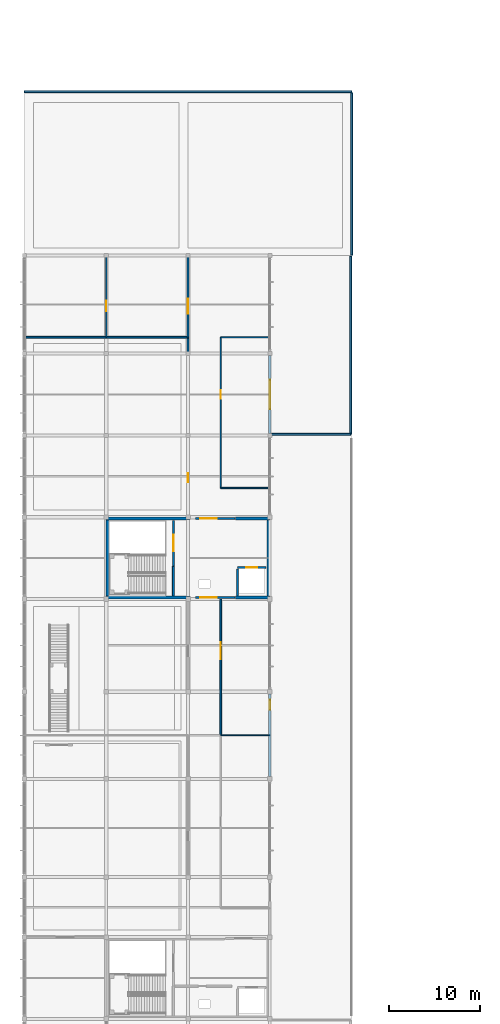
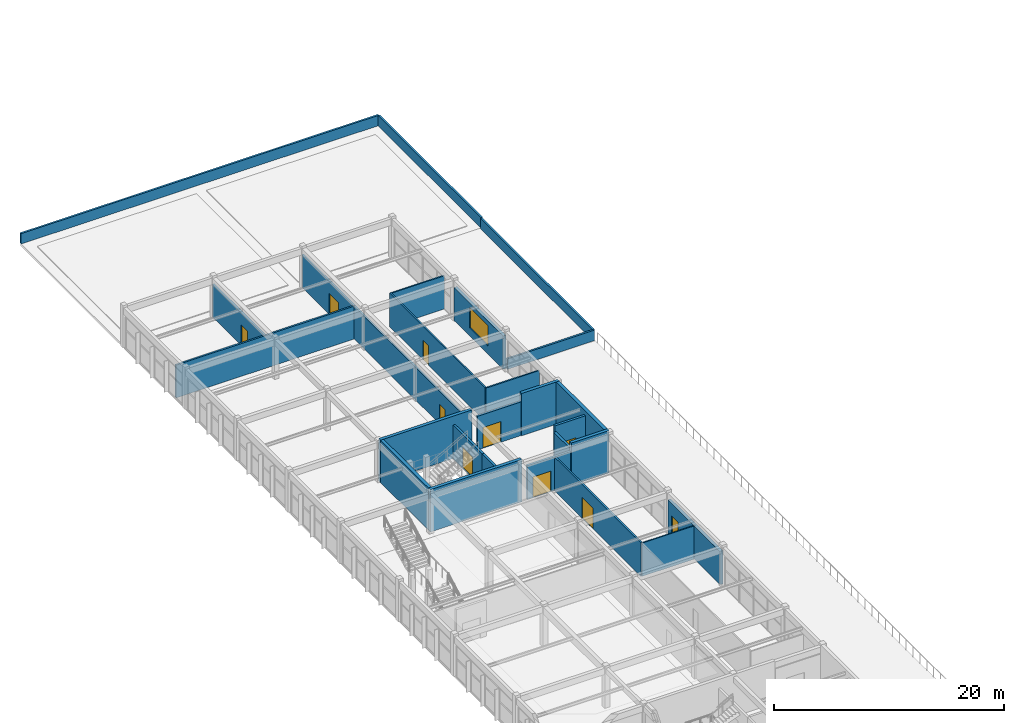
# One storey, part 15 of 22: 27 walls, 10 doors, 1 window, 11 openings.
"""IFC4 building model written with IfcOpenShell, lengths in metres."""

from ifc_helpers import new_model, si_unit, direction, frame, frame_2d, origin, place, context, subcontext, project, spatial, rectangle, extrude, material, layer, layer_set, type_object, element, fill, save


model = new_model("IFC4")

# Units and contexts
model_context = context("Model", 3, precision=1e-05, world=origin(), true_north=direction((0.0, 1.0)))
body_context = subcontext(model_context, "Body", "Model", "MODEL_VIEW")
ifc_project = project(units=[si_unit("LENGTHUNIT", "METRE"), si_unit("AREAUNIT", "SQUARE_METRE"), si_unit("VOLUMEUNIT", "CUBIC_METRE"), si_unit("PLANEANGLEUNIT", "RADIAN"), si_unit("MASSUNIT", "GRAM", prefix="KILO")], contexts=[model_context])

# Site, building, storey
site_placement = place(None, origin())
site = spatial("IfcSite", under=ifc_project, at=site_placement, CompositionType="ELEMENT")
building_placement = place(site_placement, origin())
building = spatial("IfcBuilding", under=site, at=building_placement, Name="Suirenkawa Promenade Aquatics Centre", CompositionType="ELEMENT")
storey_placement = place(building_placement, frame((0.0, 0.0, 14.10009765625)))
storey = spatial("IfcBuildingStorey", under=building, at=storey_placement, Name="L03", CompositionType="ELEMENT", Elevation=14.10009765625)

# Wall, opening, door
ifc_material_1 = material(Name="Autoclaved aerated concrete blockwork Grade 1", Category="masonry")
ifc_layer_1 = layer(ifc_material_1, 0.199951171875, Name="Autoclaved aerated concrete blockwork Grade 1", Category="masonry")
ifc_layer_set_1 = layer_set([ifc_layer_1], Name="Autoclaved aerated concrete blockwork Grade 1")
wall_type_1 = type_object("IfcWallType", Name="WT-COMP-200", PredefinedType="PARTITIONING", material=ifc_layer_set_1)
wall_1_placement = place(storey_placement, frame((9.0, 88.199951171875, 0.0), z_axis=(0.0, 0.0, 1.0), x_axis=(0.0, 1.0, 0.0)))
wall_1 = element("IfcWall", 1, at=wall_1_placement, inside=storey, type_object=wall_type_1, Name="Interior wall WL-PRT-01 W-7291", PredefinedType="PARTITIONING", context=body_context, shape_type="SweptSolid", body=[
    extrude(rectangle(XDim=9.0, YDim=0.199951171875, at=frame_2d((4.5, 0.0))), origin(), (0.0, 0.0, 1.0), 3.48486328125),
])
opening_1_placement = place(wall_1_placement, frame((2.844970703125, 0.0, 0.0)))
opening_1 = element("IfcOpeningElement", 2, at=opening_1_placement, cuts=wall_1, Name="Opening ID-03", PredefinedType="OPENING", context=body_context, shape_type="SweptSolid", body=[
    extrude(rectangle(XDim=1.14990234375, YDim=2.199951171875, at=frame_2d((0.574951171875, 1.10009765625))), frame((0.0, 0.10986328125, 0.0), z_axis=(0.0, -1.0, 0.0), x_axis=(1.0, 0.0, 0.0)), (0.0, 0.0, 1.0), 0.219970703125),
])
ifc_material_2 = material(Name="Steel IS 2062 E350 (Grade 350)", Category="steel")
door_type_1 = type_object("IfcDoorType", Name="DT-FD120-1150x2200", OperationType="NOTDEFINED", PredefinedType="DOOR", material=ifc_material_2)
door_1_placement = place(opening_1_placement, origin())
door_1 = element("IfcDoor", 3, at=door_1_placement, inside=storey, type_object=door_type_1, Name="Interior door ID-03 DR-INT-0171", OperationType="SINGLE_SWING_LEFT", OverallHeight=2.199951171875, OverallWidth=1.14990234375, PredefinedType="DOOR", context=body_context, shape_type="SweptSolid", body=[
    extrude(rectangle(XDim=1.14990234375, YDim=2.199951171875, at=frame_2d((0.574951171875, 1.10009765625))), frame((0.0, 0.02490234375, 0.0), z_axis=(0.0, -1.0, 0.0), x_axis=(1.0, 0.0, 0.0)), (0.0, 0.0, 1.0), 0.050048828125),
])
fill(opening_1, door_1)

# Walls
ifc_material_3 = material(Name="Concrete M40", Category="concrete")
ifc_layer_2 = layer(ifc_material_3, 0.320068359375, Name="Concrete M40", Category="concrete")
ifc_layer_set_2 = layer_set([ifc_layer_2], Name="Concrete M40")
wall_type_2 = type_object("IfcWallType", Name="WT-CORE-320", PredefinedType="SHEAR", material=ifc_layer_set_2)
wall_2_placement = place(storey_placement, frame((9.0, 59.56005859375, 0.0), z_axis=(0.0, 0.0, 1.0), x_axis=(1.0, 0.0, 0.0)))
element("IfcWall", 4, at=wall_2_placement, inside=storey, type_object=wall_type_2, Name="C2 south core wall WL-CORE-01 W-0098", PredefinedType="SHEAR", context=body_context, shape_type="SweptSolid", body=[
    extrude(rectangle(XDim=9.199951171875, YDim=0.320068359375, at=frame_2d((4.60009765625, 0.0))), origin(), (0.0, 0.0, 1.0), 4.5),
])
wall_3_placement = place(storey_placement, frame((23.199951171875, 59.56005859375, 0.0), z_axis=(0.0, 0.0, 1.0), x_axis=(1.0, 0.0, 0.0)))
element("IfcWall", 5, at=wall_3_placement, inside=storey, type_object=wall_type_2, Name="C2 south shaft wall WL-CORE-01 W-0099", PredefinedType="SHEAR", context=body_context, shape_type="SweptSolid", body=[
    extrude(rectangle(XDim=3.800048828125, YDim=0.320068359375, at=frame_2d((1.89990234375, 0.0))), origin(), (0.0, 0.0, 1.0), 4.5),
])
wall_4_placement = place(storey_placement, frame((9.0, 68.239990234375, 0.0), z_axis=(0.0, 0.0, 1.0), x_axis=(1.0, 0.0, 0.0)))
element("IfcWall", 6, at=wall_4_placement, inside=storey, type_object=wall_type_2, Name="C2 north core wall WL-CORE-01 W-0100", PredefinedType="SHEAR", context=body_context, shape_type="SweptSolid", body=[
    extrude(rectangle(XDim=9.199951171875, YDim=0.320068359375, at=frame_2d((4.60009765625, 0.0))), origin(), (0.0, 0.0, 1.0), 4.5),
])
wall_5_placement = place(storey_placement, frame((23.199951171875, 68.239990234375, 0.0), z_axis=(0.0, 0.0, 1.0), x_axis=(1.0, 0.0, 0.0)))
element("IfcWall", 7, at=wall_5_placement, inside=storey, type_object=wall_type_2, Name="C2 north shaft wall WL-CORE-01 W-0101", PredefinedType="SHEAR", context=body_context, shape_type="SweptSolid", body=[
    extrude(rectangle(XDim=3.800048828125, YDim=0.320068359375, at=frame_2d((1.89990234375, 0.0))), origin(), (0.0, 0.0, 1.0), 4.5),
])
for number, where, z_axis, x_axis, name in (
    (8, (9.159912109375, 59.719970703125, 0.0), (0.0, 0.0, 1.0), (0.0, 1.0, 0.0), "C2 west core wall WL-CORE-01 W-0102"),
    (9, (26.840087890625, 59.719970703125, 0.0), (0.0, 0.0, 1.0), (0.0, 1.0, 0.0), "C2 east core wall WL-CORE-01 W-0103"),
):
    element("IfcWall", number, at=place(storey_placement, frame(where, z_axis=z_axis, x_axis=x_axis)), inside=storey, type_object=wall_type_2, Name=name, PredefinedType="SHEAR", context=body_context, shape_type="SweptSolid", body=[
        extrude(rectangle(XDim=8.360107421875, YDim=0.320068359375, at=frame_2d((4.18017578125, 0.0))), origin(), (0.0, 0.0, 1.0), 4.5),
    ])

# Wall, opening, door
ifc_layer_3 = layer(ifc_material_3, 0.2900390625, Name="Concrete M40", Category="concrete")
ifc_layer_set_3 = layer_set([ifc_layer_3], Name="Concrete M40")
wall_type_3 = type_object("IfcWallType", Name="WT-EXT-290", PredefinedType="SOLIDWALL", material=ifc_layer_set_3)
wall_6_placement = place(storey_placement, frame((27.0, 48.945068359375, 0.0), z_axis=(0.0, 0.0, 1.0), x_axis=(0.0, -1.0, 0.0)))
wall_6 = element("IfcWall", 10, at=wall_6_placement, inside=storey, type_object=wall_type_3, Name="Exterior wall WL-EXT-03 W-5117", PredefinedType="SOLIDWALL", context=body_context, shape_type="SweptSolid", body=[
    extrude(rectangle(XDim=9.090087890625, YDim=0.2900390625, at=frame_2d((4.544921875, 0.0))), origin(), (0.0, 0.0, 1.0), 3.534912109375),
])
opening_2_placement = place(wall_6_placement, frame((0.64990234375, 0.0, 0.0)))
opening_2 = element("IfcOpeningElement", 11, at=opening_2_placement, cuts=wall_6, Name="Opening ED-09", PredefinedType="OPENING", context=body_context, shape_type="SweptSolid", body=[
    extrude(rectangle(XDim=1.10009765625, YDim=2.199951171875, at=frame_2d((0.550048828125, 1.10009765625))), frame((0.0, 0.155029296875, 0.0), z_axis=(0.0, -1.0, 0.0), x_axis=(1.0, 0.0, 0.0)), (0.0, 0.0, 1.0), 0.31005859375),
])
ifc_material_4 = material(Name="Anodised aluminium 6063-T6", Category="aluminium")
door_type_2 = type_object("IfcDoorType", Name="DT-EXT-TERR-1100x2200", OperationType="NOTDEFINED", PredefinedType="DOOR", material=ifc_material_4)
door_2_placement = place(opening_2_placement, origin())
door_2 = element("IfcDoor", 12, at=door_2_placement, inside=storey, type_object=door_type_2, Name="Exterior door ED-09 DR-EXT-053", OperationType="SINGLE_SWING_RIGHT", OverallHeight=2.199951171875, OverallWidth=1.10009765625, PredefinedType="DOOR", context=body_context, shape_type="SweptSolid", body=[
    extrude(rectangle(XDim=1.10009765625, YDim=2.199951171875, at=frame_2d((0.550048828125, 1.10009765625))), frame((0.0, 0.02490234375, 0.0), z_axis=(0.0, -1.0, 0.0), x_axis=(1.0, 0.0, 0.0)), (0.0, 0.0, 1.0), 0.050048828125),
])
fill(opening_2, door_2)

# Wall, opening, window
wall_7_placement = place(storey_placement, frame((27.0, 86.169921875, 0.0), z_axis=(0.0, 0.0, 1.0), x_axis=(0.0, -1.0, 0.0)))
wall_7 = element("IfcWall", 13, at=wall_7_placement, inside=storey, type_object=wall_type_3, Name="Exterior wall WL-EXT-03 W-5118", PredefinedType="SOLIDWALL", context=body_context, shape_type="SweptSolid", body=[
    extrude(rectangle(XDim=8.5400390625, YDim=0.2900390625, at=frame_2d((4.27001953125, 0.0))), origin(), (0.0, 0.0, 1.0), 3.534912109375),
])
opening_3_placement = place(wall_7_placement, frame((2.669921875, 0.0, 0.85009765625)))
opening_3 = element("IfcOpeningElement", 14, at=opening_3_placement, cuts=wall_7, Name="Opening WN-26", PredefinedType="OPENING", context=body_context, shape_type="SweptSolid", body=[
    extrude(rectangle(XDim=3.199951171875, YDim=2.199951171875, at=frame_2d((1.60009765625, 1.10009765625))), frame((0.0, 0.155029296875, 0.0), z_axis=(0.0, -1.0, 0.0), x_axis=(1.0, 0.0, 0.0)), (0.0, 0.0, 1.0), 0.31005859375),
])
ifc_material_5 = material(Name="Low-E thermally broken double glazing", Category="glass")
window_type = type_object("IfcWindowType", Name="WNT-GALL-3200x2200", PartitioningType="SINGLE_PANEL", PredefinedType="WINDOW", material=ifc_material_5)
window_placement = place(opening_3_placement, origin())
window = element("IfcWindow", 15, at=window_placement, inside=storey, type_object=window_type, Name="Window WN-26 WN-0055", OverallHeight=2.199951171875, OverallWidth=3.199951171875, PartitioningType="SINGLE_PANEL", PredefinedType="WINDOW", context=body_context, shape_type="SweptSolid", body=[
    extrude(rectangle(XDim=3.199951171875, YDim=2.199951171875, at=frame_2d((1.60009765625, 1.10009765625))), frame((0.0, 0.030029296875, 0.0), z_axis=(0.0, -1.0, 0.0), x_axis=(1.0, 0.0, 0.0)), (0.0, 0.0, 1.0), 0.06005859375),
])
fill(opening_3, window)

# Wall, opening, door
ifc_layer_4 = layer(ifc_material_1, 0.179931640625, Name="Autoclaved aerated concrete blockwork Grade 1", Category="masonry")
ifc_layer_set_4 = layer_set([ifc_layer_4], Name="Autoclaved aerated concrete blockwork Grade 1")
wall_type_4 = type_object("IfcWallType", Name="WT-FIRE-180", PredefinedType="PARTITIONING", material=ifc_layer_set_4)
wall_8_placement = place(storey_placement, frame((18.0, 68.39990234375, 0.0), z_axis=(0.0, 0.0, 1.0), x_axis=(0.0, 1.0, 0.0)))
wall_8 = element("IfcWall", 16, at=wall_8_placement, inside=storey, type_object=wall_type_4, Name="Interior wall WL-PRT-02 W-7281", PredefinedType="PARTITIONING", context=body_context, shape_type="SweptSolid", body=[
    extrude(rectangle(XDim=19.800048828125, YDim=0.179931640625, at=frame_2d((9.89990234375, 0.0))), origin(), (0.0, 0.0, 1.0), 3.48486328125),
])
opening_4_placement = place(wall_8_placement, frame((3.85595703125, 0.0, 0.0)))
opening_4 = element("IfcOpeningElement", 17, at=opening_4_placement, cuts=wall_8, Name="Opening ID-07", PredefinedType="OPENING", context=body_context, shape_type="SweptSolid", body=[
    extrude(rectangle(XDim=1.0, YDim=2.10009765625, at=frame_2d((0.5, 1.050048828125))), frame((0.0, 0.099853515625, 0.0), z_axis=(0.0, -1.0, 0.0), x_axis=(1.0, 0.0, 0.0)), (0.0, 0.0, 1.0), 0.199951171875),
])
ifc_material_6 = material(Name="Engineered maple acoustic sports timber", Category="wood")
door_type_3 = type_object("IfcDoorType", Name="DT-FD60-1000x2100", OperationType="NOTDEFINED", PredefinedType="DOOR", material=ifc_material_6)
door_3_placement = place(opening_4_placement, origin())
door_3 = element("IfcDoor", 18, at=door_3_placement, inside=storey, type_object=door_type_3, Name="Interior door ID-07 DR-INT-0166", OperationType="SINGLE_SWING_RIGHT", OverallHeight=2.10009765625, OverallWidth=1.0, PredefinedType="DOOR", context=body_context, shape_type="SweptSolid", body=[
    extrude(rectangle(XDim=1.0, YDim=2.10009765625, at=frame_2d((0.5, 1.050048828125))), frame((0.0, 0.02490234375, 0.0), z_axis=(0.0, -1.0, 0.0), x_axis=(1.0, 0.0, 0.0)), (0.0, 0.0, 1.0), 0.050048828125),
])
fill(opening_4, door_3)

# Wall
wall_9_placement = place(storey_placement, frame((0.0, 88.199951171875, 0.0), z_axis=(0.0, 0.0, 1.0), x_axis=(1.0, 0.0, 0.0)))
element("IfcWall", 19, at=wall_9_placement, inside=storey, type_object=wall_type_4, Name="Interior wall WL-PRT-02 W-7282", PredefinedType="PARTITIONING", context=body_context, shape_type="SweptSolid", body=[
    extrude(rectangle(XDim=18.0, YDim=0.179931640625, at=frame_2d((9.0, 0.0))), origin(), (0.0, 0.0, 1.0), 3.48486328125),
])

# Wall, opening, door
wall_10_placement = place(storey_placement, frame((21.60009765625, 44.39990234375, 0.0), z_axis=(0.0, 0.0, 1.0), x_axis=(0.0, 1.0, 0.0)))
wall_10 = element("IfcWall", 20, at=wall_10_placement, inside=storey, type_object=wall_type_4, Name="Interior wall WL-PRT-02 W-7287", PredefinedType="PARTITIONING", context=body_context, shape_type="SweptSolid", body=[
    extrude(rectangle(XDim=15.0, YDim=0.179931640625, at=frame_2d((7.5, 0.0))), origin(), (0.0, 0.0, 1.0), 3.5849609375),
])
opening_5_placement = place(wall_10_placement, frame((8.35009765625, 0.0, 0.0)))
opening_5 = element("IfcOpeningElement", 21, at=opening_5_placement, cuts=wall_10, Name="Opening DR-FD60", PredefinedType="OPENING", context=body_context, shape_type="SweptSolid", body=[
    extrude(rectangle(XDim=1.89990234375, YDim=2.199951171875, at=frame_2d((0.949951171875, 1.10009765625))), frame((0.0, 0.099853515625, 0.0), z_axis=(0.0, -1.0, 0.0), x_axis=(1.0, 0.0, 0.0)), (0.0, 0.0, 1.0), 0.199951171875),
])
door_type_4 = type_object("IfcDoorType", Name="DT-FD60-1900x2200", OperationType="DOUBLE_DOOR_SINGLE_SWING", PredefinedType="DOOR", material=ifc_material_6)
door_4_placement = place(opening_5_placement, origin())
door_4 = element("IfcDoor", 22, at=door_4_placement, inside=storey, type_object=door_type_4, Name="Interior door DR-FD60 DR-INT-0169", OperationType="DOUBLE_DOOR_SINGLE_SWING", OverallHeight=2.199951171875, OverallWidth=1.89990234375, PredefinedType="DOOR", context=body_context, shape_type="SweptSolid", body=[
    extrude(rectangle(XDim=1.89990234375, YDim=2.199951171875, at=frame_2d((0.949951171875, 1.10009765625))), frame((0.0, 0.02490234375, 0.0), z_axis=(0.0, -1.0, 0.0), x_axis=(1.0, 0.0, 0.0)), (0.0, 0.0, 1.0), 0.050048828125),
])
fill(opening_5, door_4)

wall_11_placement = place(storey_placement, frame((18.0, 88.199951171875, 0.0), z_axis=(0.0, 0.0, 1.0), x_axis=(0.0, 1.0, 0.0)))
wall_11 = element("IfcWall", 23, at=wall_11_placement, inside=storey, type_object=wall_type_4, Name="Interior wall WL-PRT-02 W-7292", PredefinedType="PARTITIONING", context=body_context, shape_type="SweptSolid", body=[
    extrude(rectangle(XDim=9.0, YDim=0.179931640625, at=frame_2d((4.5, 0.0))), origin(), (0.0, 0.0, 1.0), 3.48486328125),
])
opening_6_placement = place(wall_11_placement, frame((2.594970703125, 0.0, 0.0)))
opening_6 = element("IfcOpeningElement", 24, at=opening_6_placement, cuts=wall_11, Name="Opening ID-05", PredefinedType="OPENING", context=body_context, shape_type="SweptSolid", body=[
    extrude(rectangle(XDim=1.64990234375, YDim=2.199951171875, at=frame_2d((0.824951171875, 1.10009765625))), frame((0.0, 0.099853515625, 0.0), z_axis=(0.0, -1.0, 0.0), x_axis=(1.0, 0.0, 0.0)), (0.0, 0.0, 1.0), 0.199951171875),
])
door_type_5 = type_object("IfcDoorType", Name="DT-FD60-1650x2200", OperationType="DOUBLE_DOOR_SINGLE_SWING", PredefinedType="DOOR", material=ifc_material_6)
door_5_placement = place(opening_6_placement, origin())
door_5 = element("IfcDoor", 25, at=door_5_placement, inside=storey, type_object=door_type_5, Name="Interior door ID-05 DR-INT-0172", OperationType="DOUBLE_DOOR_SINGLE_SWING", OverallHeight=2.199951171875, OverallWidth=1.64990234375, PredefinedType="DOOR", context=body_context, shape_type="SweptSolid", body=[
    extrude(rectangle(XDim=1.64990234375, YDim=2.199951171875, at=frame_2d((0.824951171875, 1.10009765625))), frame((0.0, 0.02490234375, 0.0), z_axis=(0.0, -1.0, 0.0), x_axis=(1.0, 0.0, 0.0)), (0.0, 0.0, 1.0), 0.050048828125),
])
fill(opening_6, door_5)

# Wall
ifc_material_7 = material(Name="Moisture-resistant acoustic gypsum board")
ifc_layer_5 = layer(ifc_material_7, 0.1201171875, Name="Moisture-resistant acoustic gypsum board")
ifc_layer_set_5 = layer_set([ifc_layer_5], Name="Moisture-resistant acoustic gypsum board")
wall_type_5 = type_object("IfcWallType", Name="WT-LIGHT-120", PredefinedType="PARTITIONING", material=ifc_layer_set_5)
wall_12_placement = place(storey_placement, frame((21.60009765625, 44.39990234375, 0.0), z_axis=(0.0, 0.0, 1.0), x_axis=(1.0, 0.0, 0.0)))
element("IfcWall", 26, at=wall_12_placement, inside=storey, type_object=wall_type_5, Name="Interior wall WL-PRT-05 W-7286", PredefinedType="PARTITIONING", context=body_context, shape_type="SweptSolid", body=[
    extrude(rectangle(XDim=5.39990234375, YDim=0.1201171875, at=frame_2d((2.699951171875, 0.0))), origin(), (0.0, 0.0, 1.0), 3.534912109375),
])

# Wall, opening, door
ifc_material_8 = material(Name="Concrete M35", Category="concrete")
ifc_layer_6 = layer(ifc_material_8, 0.219970703125, Name="Concrete M35", Category="concrete")
ifc_layer_set_6 = layer_set([ifc_layer_6], Name="Concrete M35")
wall_type_6 = type_object("IfcWallType", Name="WT-LOBBY-220", PredefinedType="PARTITIONING", material=ifc_layer_set_6)
wall_13_placement = place(storey_placement, frame((16.39990234375, 68.050048828125, 0.0), z_axis=(0.0, 0.0, 1.0), x_axis=(0.0, -1.0, 0.0)))
wall_13 = element("IfcWall", 27, at=wall_13_placement, inside=storey, type_object=wall_type_6, Name="Interior wall WL-LOB-01 W-7060", PredefinedType="PARTITIONING", context=body_context, shape_type="SweptSolid", body=[
    extrude(rectangle(XDim=5.050048828125, YDim=0.219970703125, at=frame_2d((2.52490234375, 0.0))), origin(), (0.0, 0.0, 1.0), 3.5849609375),
])
opening_7_placement = place(wall_13_placement, frame((1.60009765625, 0.0, 0.0)))
opening_7 = element("IfcOpeningElement", 28, at=opening_7_placement, cuts=wall_13, Name="Opening ID-02", PredefinedType="OPENING", context=body_context, shape_type="SweptSolid", body=[
    extrude(rectangle(XDim=1.800048828125, YDim=2.199951171875, at=frame_2d((0.89990234375, 1.10009765625))), frame((0.0, 0.119873046875, 0.0), z_axis=(0.0, -1.0, 0.0), x_axis=(1.0, 0.0, 0.0)), (0.0, 0.0, 1.0), 0.239990234375),
])
door_type_6 = type_object("IfcDoorType", Name="DT-FD120-1800x2200", OperationType="DOUBLE_DOOR_SINGLE_SWING", PredefinedType="DOOR", material=ifc_material_2)
door_6_placement = place(opening_7_placement, origin())
door_6 = element("IfcDoor", 29, at=door_6_placement, inside=storey, type_object=door_type_6, Name="Interior door ID-02 DR-INT-0040", OperationType="DOUBLE_DOOR_SINGLE_SWING", OverallHeight=2.199951171875, OverallWidth=1.800048828125, PredefinedType="DOOR", context=body_context, shape_type="SweptSolid", body=[
    extrude(rectangle(XDim=1.800048828125, YDim=2.199951171875, at=frame_2d((0.89990234375, 1.10009765625))), frame((0.0, 0.02490234375, 0.0), z_axis=(0.0, -1.0, 0.0), x_axis=(1.0, 0.0, 0.0)), (0.0, 0.0, 1.0), 0.050048828125),
])
fill(opening_7, door_6)

# Wall
wall_14_placement = place(storey_placement, frame((16.39990234375, 59.75, 0.0), z_axis=(0.0, 0.0, 1.0), x_axis=(0.0, 1.0, 0.0)))
element("IfcWall", 30, at=wall_14_placement, inside=storey, type_object=wall_type_6, Name="Interior wall WL-LOB-01 W-7061", PredefinedType="PARTITIONING", context=body_context, shape_type="SweptSolid", body=[
    extrude(rectangle(XDim=3.25, YDim=0.219970703125, at=frame_2d((1.625, 0.0))), origin(), (0.0, 0.0, 1.0), 3.5849609375),
])

# Wall, opening, door
wall_15_placement = place(storey_placement, frame((18.800048828125, 59.56005859375, 0.0), z_axis=(0.0, 0.0, 1.0), x_axis=(1.0, 0.0, 0.0)))
wall_15 = element("IfcWall", 31, at=wall_15_placement, inside=storey, type_object=wall_type_6, Name="Interior wall WL-LOB-01 W-7064", PredefinedType="PARTITIONING", context=body_context, shape_type="SweptSolid", body=[
    extrude(rectangle(XDim=4.349853515625, YDim=0.219970703125, at=frame_2d((2.1748046875, 0.0))), origin(), (0.0, 0.0, 1.0), 3.5849609375),
])
opening_8_placement = place(wall_15_placement, frame((0.550048828125, 0.0, 0.0)))
opening_8 = element("IfcOpeningElement", 32, at=opening_8_placement, cuts=wall_15, Name="Opening ID-02", PredefinedType="OPENING", context=body_context, shape_type="SweptSolid", body=[
    extrude(rectangle(XDim=1.800048828125, YDim=2.199951171875, at=frame_2d((0.89990234375, 1.10009765625))), frame((0.0, 0.119873046875, 0.0), z_axis=(0.0, -1.0, 0.0), x_axis=(1.0, 0.0, 0.0)), (0.0, 0.0, 1.0), 0.239990234375),
])
door_7_placement = place(opening_8_placement, origin())
door_7 = element("IfcDoor", 33, at=door_7_placement, inside=storey, type_object=door_type_6, Name="Interior door ID-02 DR-INT-0042", OperationType="DOUBLE_DOOR_SINGLE_SWING", OverallHeight=2.199951171875, OverallWidth=1.800048828125, PredefinedType="DOOR", context=body_context, shape_type="SweptSolid", body=[
    extrude(rectangle(XDim=1.800048828125, YDim=2.199951171875, at=frame_2d((0.89990234375, 1.10009765625))), frame((0.0, 0.02490234375, 0.0), z_axis=(0.0, -1.0, 0.0), x_axis=(1.0, 0.0, 0.0)), (0.0, 0.0, 1.0), 0.050048828125),
])
fill(opening_8, door_7)

wall_16_placement = place(storey_placement, frame((18.800048828125, 68.239990234375, 0.0), z_axis=(0.0, 0.0, 1.0), x_axis=(1.0, 0.0, 0.0)))
wall_16 = element("IfcWall", 34, at=wall_16_placement, inside=storey, type_object=wall_type_6, Name="Interior wall WL-LOB-01 W-7065", PredefinedType="PARTITIONING", context=body_context, shape_type="SweptSolid", body=[
    extrude(rectangle(XDim=4.349853515625, YDim=0.219970703125, at=frame_2d((2.1748046875, 0.0))), origin(), (0.0, 0.0, 1.0), 3.5849609375),
])
opening_9_placement = place(wall_16_placement, frame((0.550048828125, 0.0, 0.0)))
opening_9 = element("IfcOpeningElement", 35, at=opening_9_placement, cuts=wall_16, Name="Opening ID-02", PredefinedType="OPENING", context=body_context, shape_type="SweptSolid", body=[
    extrude(rectangle(XDim=1.800048828125, YDim=2.199951171875, at=frame_2d((0.89990234375, 1.10009765625))), frame((0.0, 0.119873046875, 0.0), z_axis=(0.0, -1.0, 0.0), x_axis=(1.0, 0.0, 0.0)), (0.0, 0.0, 1.0), 0.239990234375),
])
door_8_placement = place(opening_9_placement, origin())
door_8 = element("IfcDoor", 36, at=door_8_placement, inside=storey, type_object=door_type_6, Name="Interior door ID-02 DR-INT-0043", OperationType="DOUBLE_DOOR_SINGLE_SWING", OverallHeight=2.199951171875, OverallWidth=1.800048828125, PredefinedType="DOOR", context=body_context, shape_type="SweptSolid", body=[
    extrude(rectangle(XDim=1.800048828125, YDim=2.199951171875, at=frame_2d((0.89990234375, 1.10009765625))), frame((0.0, 0.02490234375, 0.0), z_axis=(0.0, -1.0, 0.0), x_axis=(1.0, 0.0, 0.0)), (0.0, 0.0, 1.0), 0.050048828125),
])
fill(opening_9, door_8)

# Walls
ifc_layer_7 = layer(ifc_material_3, 0.18994140625, Name="Concrete M40", Category="concrete")
ifc_layer_set_7 = layer_set([ifc_layer_7], Name="Concrete M40")
wall_type_7 = type_object("IfcWallType", Name="WT-PARAPET-190", PredefinedType="PARAPET", material=ifc_layer_set_7)
wall_17_placement = place(storey_placement, frame((0.0, 115.199951171875, 0.0), z_axis=(0.0, 0.0, 1.0), x_axis=(1.0, 0.0, 0.0)))
element("IfcWall", 37, at=wall_17_placement, inside=storey, type_object=wall_type_7, Name="Roof parapet WL-PAR-02 W-5131", PredefinedType="PARAPET", context=body_context, shape_type="SweptSolid", body=[
    extrude(rectangle(XDim=36.0, YDim=0.18994140625, at=frame_2d((18.0, 0.0))), origin(), (0.0, 0.0, 1.0), 1.099853515625),
])
wall_18_placement = place(storey_placement, frame((36.0, 97.199951171875, 0.0), z_axis=(0.0, 0.0, 1.0), x_axis=(0.0, 1.0, 0.0)))
element("IfcWall", 38, at=wall_18_placement, inside=storey, type_object=wall_type_7, Name="Roof parapet WL-PAR-02 W-5132", PredefinedType="PARAPET", context=body_context, shape_type="SweptSolid", body=[
    extrude(rectangle(XDim=17.900146484375, YDim=0.18994140625, at=frame_2d((8.9501953125, 0.0))), origin(), (0.0, 0.0, 1.0), 1.099853515625),
])
wall_19_placement = place(storey_placement, frame((27.14990234375, 77.52001953125, 0.0), z_axis=(0.0, 0.0, 1.0), x_axis=(1.0, 0.0, 0.0)))
element("IfcWall", 39, at=wall_19_placement, inside=storey, type_object=wall_type_7, Name="Setback roof parapet WL-PAR-02 W-5148", PredefinedType="PARAPET", context=body_context, shape_type="SweptSolid", body=[
    extrude(rectangle(XDim=8.75, YDim=0.18994140625, at=frame_2d((4.375, 0.0))), origin(), (0.0, 0.0, 1.0), 1.119873046875),
])
wall_20_placement = place(storey_placement, frame((35.89990234375, 77.52001953125, 0.0), z_axis=(0.0, 0.0, 1.0), x_axis=(0.0, 1.0, 0.0)))
element("IfcWall", 40, at=wall_20_placement, inside=storey, type_object=wall_type_7, Name="Setback roof parapet WL-PAR-02 W-5149", PredefinedType="PARAPET", context=body_context, shape_type="SweptSolid", body=[
    extrude(rectangle(XDim=19.580078125, YDim=0.18994140625, at=frame_2d((9.7900390625, 0.0))), origin(), (0.0, 0.0, 1.0), 1.119873046875),
])

# Wall, opening, door
ifc_layer_8 = layer(ifc_material_3, 0.239990234375, Name="Concrete M40", Category="concrete")
ifc_layer_set_8 = layer_set([ifc_layer_8], Name="Concrete M40")
wall_type_8 = type_object("IfcWallType", Name="WT-SHAFT-240", PredefinedType="SOLIDWALL", material=ifc_layer_set_8)
wall_21_placement = place(storey_placement, frame((23.449951171875, 62.85009765625, 0.0), z_axis=(0.0, 0.0, 1.0), x_axis=(1.0, 0.0, 0.0)))
wall_21 = element("IfcWall", 41, at=wall_21_placement, inside=storey, type_object=wall_type_8, Name="Interior wall WL-SHF-01 W-7062", PredefinedType="SOLIDWALL", context=body_context, shape_type="SweptSolid", body=[
    extrude(rectangle(XDim=3.10009765625, YDim=0.239990234375, at=frame_2d((1.550048828125, 0.0))), origin(), (0.0, 0.0, 1.0), 4.204833984375),
])
opening_10_placement = place(wall_21_placement, frame((0.949951171875, 0.0, 0.0)))
opening_10 = element("IfcOpeningElement", 42, at=opening_10_placement, cuts=wall_21, Name="Opening LD-02", PredefinedType="OPENING", context=body_context, shape_type="SweptSolid", body=[
    extrude(rectangle(XDim=1.199951171875, YDim=2.199951171875, at=frame_2d((0.60009765625, 1.10009765625))), frame((0.0, 0.1298828125, 0.0), z_axis=(0.0, -1.0, 0.0), x_axis=(1.0, 0.0, 0.0)), (0.0, 0.0, 1.0), 0.260009765625),
])
ifc_material_9 = material(Name="Marine-grade stainless steel Grade 316L", Category="steel")
door_type_7 = type_object("IfcDoorType", Name="DT-LIFT-1200x2200", OperationType="DOUBLE_DOOR_SLIDING", PredefinedType="DOOR", material=ifc_material_9)
door_9_placement = place(opening_10_placement, origin())
door_9 = element("IfcDoor", 43, at=door_9_placement, inside=storey, type_object=door_type_7, Name="Landing door LD-02 DR-INT-0041", OperationType="DOUBLE_DOOR_SLIDING", OverallHeight=2.199951171875, OverallWidth=1.199951171875, PredefinedType="DOOR", context=body_context, shape_type="SweptSolid", body=[
    extrude(rectangle(XDim=1.199951171875, YDim=2.199951171875, at=frame_2d((0.60009765625, 1.10009765625))), frame((0.0, 0.02490234375, 0.0), z_axis=(0.0, -1.0, 0.0), x_axis=(1.0, 0.0, 0.0)), (0.0, 0.0, 1.0), 0.050048828125),
])
fill(opening_10, door_9)

# Wall
wall_22_placement = place(storey_placement, frame((23.449951171875, 59.75, 0.0), z_axis=(0.0, 0.0, 1.0), x_axis=(0.0, 1.0, 0.0)))
element("IfcWall", 44, at=wall_22_placement, inside=storey, type_object=wall_type_8, Name="Interior wall WL-SHF-01 W-7063", PredefinedType="SOLIDWALL", context=body_context, shape_type="SweptSolid", body=[
    extrude(rectangle(XDim=2.949951171875, YDim=0.239990234375, at=frame_2d((1.47509765625, 0.0))), origin(), (0.0, 0.0, 1.0), 3.5849609375),
])

# Wall, opening, door
ifc_layer_9 = layer(ifc_material_7, 0.139892578125, Name="Moisture-resistant acoustic gypsum board")
ifc_layer_set_9 = layer_set([ifc_layer_9], Name="Moisture-resistant acoustic gypsum board")
wall_type_9 = type_object("IfcWallType", Name="WT-STD-140", PredefinedType="PARTITIONING", material=ifc_layer_set_9)
wall_23_placement = place(storey_placement, frame((21.60009765625, 71.60009765625, 0.0), z_axis=(0.0, 0.0, 1.0), x_axis=(0.0, 1.0, 0.0)))
wall_23 = element("IfcWall", 45, at=wall_23_placement, inside=storey, type_object=wall_type_9, Name="Interior wall WL-PRT-04 W-7288", PredefinedType="PARTITIONING", context=body_context, shape_type="SweptSolid", body=[
    extrude(rectangle(XDim=16.599853515625, YDim=0.139892578125, at=frame_2d((8.2998046875, 0.0))), origin(), (0.0, 0.0, 1.0), 3.5849609375),
])
opening_11_placement = place(wall_23_placement, frame((9.81689453125, 0.0, 0.0)))
opening_11 = element("IfcOpeningElement", 46, at=opening_11_placement, cuts=wall_23, Name="Opening ID-11", PredefinedType="OPENING", context=body_context, shape_type="SweptSolid", body=[
    extrude(rectangle(XDim=0.949951171875, YDim=2.10009765625, at=frame_2d((0.47509765625, 1.050048828125))), frame((0.0, 0.079833984375, 0.0), z_axis=(0.0, -1.0, 0.0), x_axis=(1.0, 0.0, 0.0)), (0.0, 0.0, 1.0), 0.159912109375),
])
door_type_8 = type_object("IfcDoorType", Name="DT-STD-950x2100", OperationType="NOTDEFINED", PredefinedType="DOOR", material=ifc_material_6)
door_10_placement = place(opening_11_placement, origin())
door_10 = element("IfcDoor", 47, at=door_10_placement, inside=storey, type_object=door_type_8, Name="Interior door ID-11 DR-INT-0170", OperationType="SINGLE_SWING_RIGHT", OverallHeight=2.10009765625, OverallWidth=0.949951171875, PredefinedType="DOOR", context=body_context, shape_type="SweptSolid", body=[
    extrude(rectangle(XDim=0.949951171875, YDim=2.10009765625, at=frame_2d((0.47509765625, 1.050048828125))), frame((0.0, 0.02490234375, 0.0), z_axis=(0.0, -1.0, 0.0), x_axis=(1.0, 0.0, 0.0)), (0.0, 0.0, 1.0), 0.050048828125),
])
fill(opening_11, door_10)

# Walls
for number, where, z_axis, x_axis, name in (
    (48, (21.60009765625, 71.60009765625, 0.0), (0.0, 0.0, 1.0), (1.0, 0.0, 0.0), "Interior wall WL-PRT-04 W-7289"),
    (49, (21.60009765625, 88.199951171875, 0.0), (0.0, 0.0, 1.0), (1.0, 0.0, 0.0), "Interior wall WL-PRT-04 W-7290"),
):
    element("IfcWall", number, at=place(storey_placement, frame(where, z_axis=z_axis, x_axis=x_axis)), inside=storey, type_object=wall_type_9, Name=name, PredefinedType="PARTITIONING", context=body_context, shape_type="SweptSolid", body=[
        extrude(rectangle(XDim=5.39990234375, YDim=0.139892578125, at=frame_2d((2.699951171875, 0.0))), origin(), (0.0, 0.0, 1.0), 3.534912109375),
    ])

save(model, "model.ifc")
